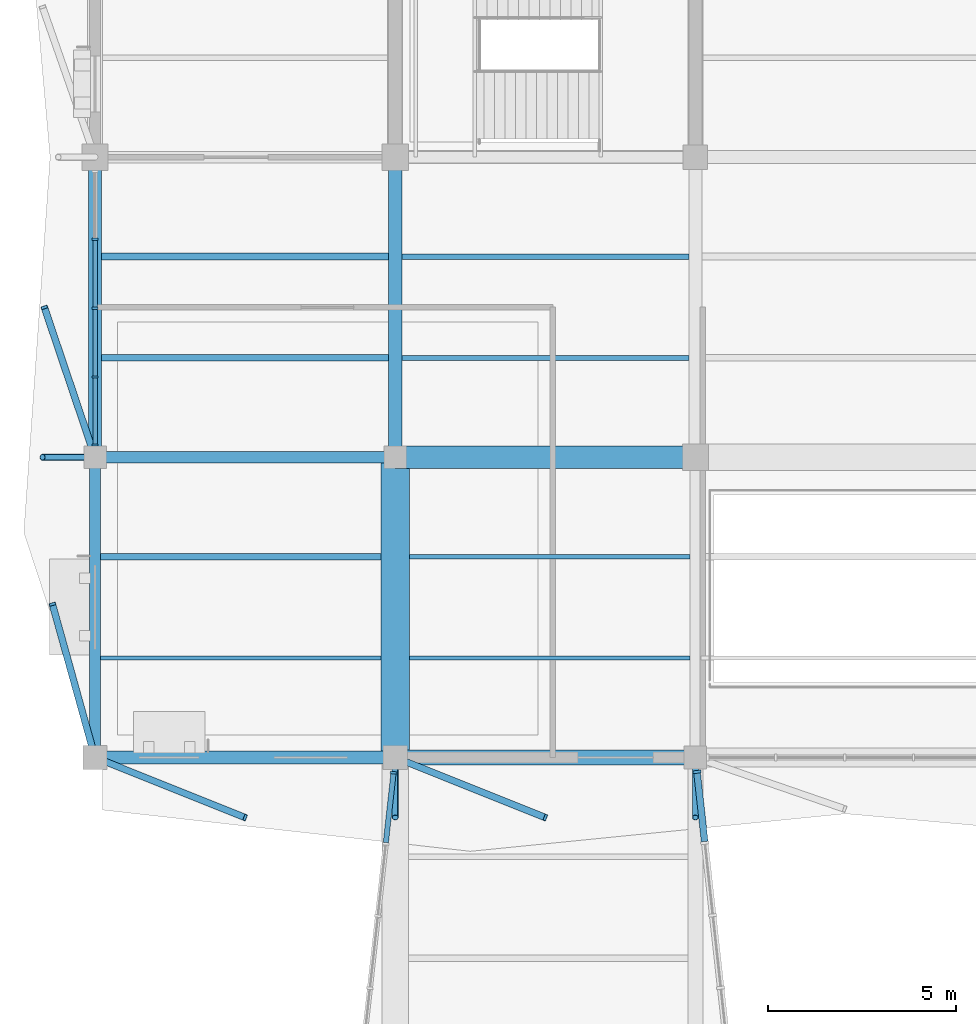
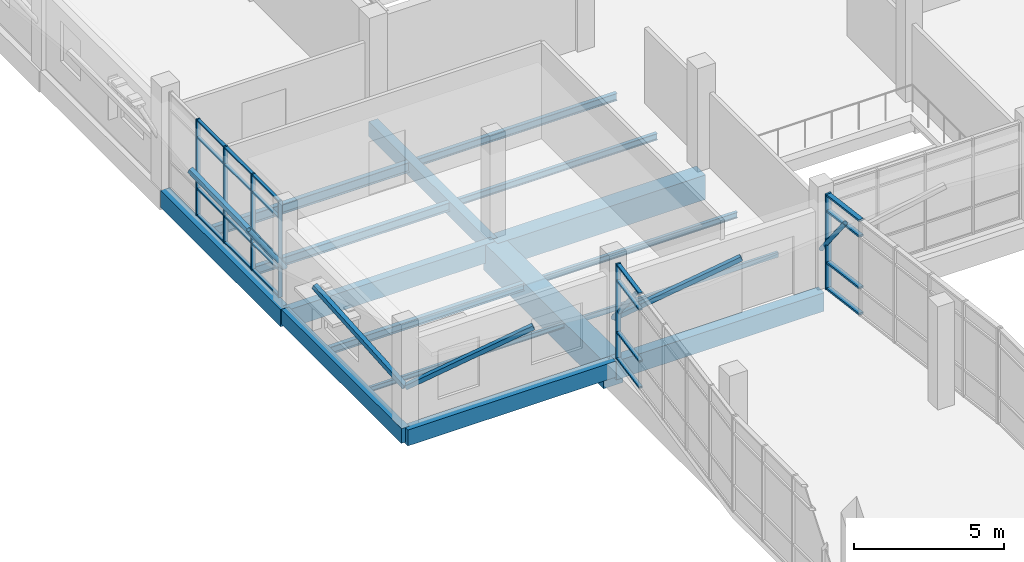
# One storey, part 25 of 84: 33 members, 16 beams, 3 elements without a shape of their own.
"""IFC4 building model written with IfcOpenShell, lengths in metres."""

from ifc_helpers import new_model, si_unit, direction, frame, origin, origin_2d, place, context, subcontext, project, spatial, rectangle, hollow_rectangle, hollow_circle, i_section, extrude, material, material_profile, profile_set, type_object, element, aggregate, save


model = new_model("IFC4")

# Units and contexts
model_context = context("Model", 3, precision=1e-05, world=origin(), true_north=direction((0.0, 1.0)))
body_context = subcontext(model_context, "Body", "Model", "MODEL_VIEW")
ifc_project = project(units=[si_unit("LENGTHUNIT", "METRE"), si_unit("AREAUNIT", "SQUARE_METRE"), si_unit("VOLUMEUNIT", "CUBIC_METRE"), si_unit("PLANEANGLEUNIT", "RADIAN"), si_unit("MASSUNIT", "GRAM", prefix="KILO")], contexts=[model_context])

# Site, building, storey
site_placement = place(None, origin())
site = spatial("IfcSite", under=ifc_project, at=site_placement, CompositionType="ELEMENT")
building_placement = place(site_placement, origin())
building = spatial("IfcBuilding", under=site, at=building_placement, Name="Tenunan Teduh Sports Hall", CompositionType="ELEMENT")
storey_placement = place(building_placement, frame((0.0, 0.0, 10.800048828125)))
storey = spatial("IfcBuildingStorey", under=building, at=storey_placement, Name="L02", CompositionType="ELEMENT", Elevation=10.800048828125)

# Beams
ifc_material_1 = material(Name="Concrete C40/50", Category="concrete")
ifc_material_profile_1 = material_profile(ifc_material_1, rectangle(XDim=0.300048828125, YDim=0.60009765625, at=origin_2d()), Name="RCB 300x600")
ifc_profile_set_1 = profile_set([ifc_material_profile_1], Name="Concrete C40/50")
beam_type_1 = type_object("IfcBeamType", Name="BM-RC-300x600", PredefinedType="BEAM", material=ifc_profile_set_1)
beam_1_placement = place(storey_placement, frame((6.0, 78.0, -0.56005859375), z_axis=(0.0, 1.0, 0.0), x_axis=(-1.0, 0.0, 0.0)))
element("IfcBeam", 1, at=beam_1_placement, inside=storey, type_object=beam_type_1, Name="BM-B-03-L02-1571", PredefinedType="BEAM", context=body_context, shape_type="SweptSolid", body=[
    extrude(rectangle(XDim=0.300048828125, YDim=0.60009765625, at=origin_2d()), origin(), (0.0, 0.0, 1.0), 8.0),
])
ifc_material_2 = material(Name="Concrete C40/50", Category="concrete")
ifc_material_profile_2 = material_profile(ifc_material_2, rectangle(XDim=0.35009765625, YDim=0.60009765625, at=origin_2d()), Name="RCB 350x600")
ifc_profile_set_2 = profile_set([ifc_material_profile_2], Name="Concrete C40/50")
beam_type_2 = type_object("IfcBeamType", Name="BM-RC-350x600", PredefinedType="BEAM", material=ifc_profile_set_2)
beam_2_placement = place(storey_placement, frame((14.0, 86.0, -0.56005859375), z_axis=(0.0, 1.0, 0.0), x_axis=(-1.0, 0.0, 0.0)))
element("IfcBeam", 2, at=beam_2_placement, inside=storey, type_object=beam_type_2, Name="BM-B-04-L02-1580", PredefinedType="BEAM", context=body_context, shape_type="SweptSolid", body=[
    extrude(rectangle(XDim=0.35009765625, YDim=0.60009765625, at=origin_2d()), origin(), (0.0, 0.0, 1.0), 8.0),
])
ifc_material_3 = material(Name="Concrete C40/50", Category="concrete")
ifc_material_profile_3 = material_profile(ifc_material_3, rectangle(XDim=0.35009765625, YDim=0.64990234375, at=origin_2d()), Name="RCB 350x650")
ifc_profile_set_3 = profile_set([ifc_material_profile_3], Name="Concrete C40/50")
beam_type_3 = type_object("IfcBeamType", Name="BM-RC-350x650", PredefinedType="BEAM", material=ifc_profile_set_3)
beam_3_placement = place(storey_placement, frame((6.0, 78.0, -0.5849609375), z_axis=(1.0, 0.0, 0.0), x_axis=(0.0, 1.0, 0.0)))
element("IfcBeam", 3, at=beam_3_placement, inside=storey, type_object=beam_type_3, Name="BM-B-05-L02-1482", PredefinedType="BEAM", context=body_context, shape_type="SweptSolid", body=[
    extrude(rectangle(XDim=0.35009765625, YDim=0.64990234375, at=origin_2d()), origin(), (0.0, 0.0, 1.0), 8.0),
])
ifc_material_4 = material(Name="Concrete C40/50", Category="concrete")
ifc_material_profile_4 = material_profile(ifc_material_4, rectangle(XDim=0.35009765625, YDim=0.699951171875, at=origin_2d()), Name="RCB 350x700")
ifc_profile_set_4 = profile_set([ifc_material_profile_4], Name="Concrete C40/50")
beam_type_4 = type_object("IfcBeamType", Name="BM-RC-350x700", PredefinedType="BEAM", material=ifc_profile_set_4)
beam_4_placement = place(storey_placement, frame((6.0, 86.0, -0.610107421875), z_axis=(0.0, 1.0, 0.0), x_axis=(-1.0, 0.0, 0.0)))
element("IfcBeam", 4, at=beam_4_placement, inside=storey, type_object=beam_type_4, Name="BM-B-06-L02-1572", PredefinedType="BEAM", context=body_context, shape_type="SweptSolid", body=[
    extrude(rectangle(XDim=0.35009765625, YDim=0.699951171875, at=origin_2d()), origin(), (0.0, 0.0, 1.0), 8.0),
])
ifc_material_5 = material(Name="Concrete C40/50", Category="concrete")
ifc_material_profile_5 = material_profile(ifc_material_5, rectangle(XDim=0.39990234375, YDim=0.75, at=origin_2d()), Name="RCB 400x750")
ifc_profile_set_5 = profile_set([ifc_material_profile_5], Name="Concrete C40/50")
beam_type_5 = type_object("IfcBeamType", Name="BM-RC-400x750", PredefinedType="BEAM", material=ifc_profile_set_5)
beam_5_placement = place(storey_placement, frame((14.0, 78.0, -0.635009765625), z_axis=(1.0, 0.0, 0.0), x_axis=(0.0, 1.0, 0.0)))
element("IfcBeam", 5, at=beam_5_placement, inside=storey, type_object=beam_type_5, Name="BM-B-09-L02-1483", PredefinedType="BEAM", context=body_context, shape_type="SweptSolid", body=[
    extrude(rectangle(XDim=0.39990234375, YDim=0.75, at=origin_2d()), origin(), (0.0, 0.0, 1.0), 8.0),
])
ifc_material_6 = material(Name="Concrete C40/50", Category="concrete")
ifc_material_profile_6 = material_profile(ifc_material_6, rectangle(XDim=0.60009765625, YDim=1.0, at=origin_2d()), Name="RCB 600x1000")
ifc_profile_set_6 = profile_set([ifc_material_profile_6], Name="Concrete C40/50")
beam_type_6 = type_object("IfcBeamType", Name="BM-RC-600x1000", PredefinedType="BEAM", material=ifc_profile_set_6)
beam_6_placement = place(storey_placement, frame((14.0, 86.0, -0.760009765625), z_axis=(1.0, 0.0, 0.0), x_axis=(0.0, 1.0, 0.0)))
element("IfcBeam", 6, at=beam_6_placement, inside=storey, type_object=beam_type_6, Name="BM-B-18-L02-1492", PredefinedType="BEAM", context=body_context, shape_type="SweptSolid", body=[
    extrude(rectangle(XDim=0.60009765625, YDim=1.0, at=origin_2d()), origin(), (0.0, 0.0, 1.0), 8.0),
])
ifc_material_7 = material(Name="Concrete C40/50", Category="concrete")
ifc_material_profile_7 = material_profile(ifc_material_7, rectangle(XDim=0.75, YDim=1.10009765625, at=origin_2d()), Name="RCB 750x1100")
ifc_profile_set_7 = profile_set([ifc_material_profile_7], Name="Concrete C40/50")
beam_type_7 = type_object("IfcBeamType", Name="BM-RC-750x1100", PredefinedType="SPANDREL", material=ifc_profile_set_7)
beam_7_placement = place(storey_placement, frame((14.0, 78.0, -0.81005859375), z_axis=(0.0, 1.0, 0.0), x_axis=(-1.0, 0.0, 0.0)))
element("IfcBeam", 7, at=beam_7_placement, inside=storey, type_object=beam_type_7, Name="BM-B-20-L02-1579", PredefinedType="SPANDREL", context=body_context, shape_type="SweptSolid", body=[
    extrude(rectangle(XDim=0.75, YDim=1.10009765625, at=origin_2d()), origin(), (0.0, 0.0, 1.0), 8.0),
])
ifc_material_8 = material(Name="Concrete C40/50", Category="concrete")
ifc_material_profile_8 = material_profile(ifc_material_8, rectangle(XDim=0.300048828125, YDim=0.75, at=origin_2d()), Name="SPB 300x750")
ifc_profile_set_8 = profile_set([ifc_material_profile_8], Name="Concrete C40/50")
beam_type_8 = type_object("IfcBeamType", Name="BM-SP-300x750", PredefinedType="SPANDREL", material=ifc_profile_set_8)
beam_8_placement = place(storey_placement, frame((6.0, 86.0, -0.635009765625), z_axis=(1.0, 0.0, 0.0), x_axis=(0.0, 1.0, 0.0)))
element("IfcBeam", 8, at=beam_8_placement, inside=storey, type_object=beam_type_8, Name="BM-SP-01-L02-1491", PredefinedType="SPANDREL", context=body_context, shape_type="SweptSolid", body=[
    extrude(rectangle(XDim=0.300048828125, YDim=0.75, at=origin_2d()), origin(), (0.0, 0.0, 1.0), 8.0),
])

# Curtain wall, members
ifc_material_9 = material(Name="Anodised aluminium", Category="aluminium")
curtain_wall_type_1 = type_object("IfcCurtainWallType", Name="CW-UNIT-2", PredefinedType="NOTDEFINED", material=ifc_material_9)
curtain_wall_1_placement = place(storey_placement, origin())
curtain_wall_1 = element("IfcCurtainWall", 9, at=curtain_wall_1_placement, inside=storey, type_object=curtain_wall_type_1, Name="CW-CWM-150-L02-219", PredefinedType="NOTDEFINED")
ifc_material_10 = material(Name="Anodised aluminium", Category="aluminium")
ifc_material_profile_9 = material_profile(ifc_material_10, rectangle(XDim=0.06005859375, YDim=0.14990234375, at=origin_2d()), Name="CWM 60x150")
ifc_profile_set_9 = profile_set([ifc_material_profile_9], Name="Anodised aluminium")
member_type_1 = type_object("IfcMemberType", Name="CWM-150", PredefinedType="MULLION", material=ifc_profile_set_9)
member_1_placement = place(storey_placement, frame((6.0, 86.330078125, 0.0), z_axis=(0.0, 0.0, 1.0), x_axis=(0.0, 1.0, 0.0)))
member_1 = element("IfcMember", 10, at=member_1_placement, type_object=member_type_1, Name="CW-02 mullion 1", PredefinedType="MULLION", context=body_context, shape_type="SweptSolid", body=[
    extrude(rectangle(XDim=0.06005859375, YDim=0.14990234375, at=origin_2d()), origin(), (0.0, 0.0, 1.0), 3.919921875),
])
member_2_placement = place(storey_placement, frame((6.0, 88.137451171875, 0.0), z_axis=(0.0, 0.0, 1.0), x_axis=(0.0, 1.0, 0.0)))
member_2 = element("IfcMember", 11, at=member_2_placement, type_object=member_type_1, Name="CW-02 mullion 2", PredefinedType="MULLION", context=body_context, shape_type="SweptSolid", body=[
    extrude(rectangle(XDim=0.06005859375, YDim=0.14990234375, at=origin_2d()), origin(), (0.0, 0.0, 1.0), 3.919921875),
])
member_3_placement = place(storey_placement, frame((6.0, 89.97509765625, 0.0), z_axis=(0.0, 0.0, 1.0), x_axis=(0.0, 1.0, 0.0)))
member_3 = element("IfcMember", 12, at=member_3_placement, type_object=member_type_1, Name="CW-02 mullion 3", PredefinedType="MULLION", context=body_context, shape_type="SweptSolid", body=[
    extrude(rectangle(XDim=0.06005859375, YDim=0.14990234375, at=origin_2d()), origin(), (0.0, 0.0, 1.0), 3.919921875),
])
member_4_placement = place(storey_placement, frame((6.0, 91.8125, 0.0), z_axis=(0.0, 0.0, 1.0), x_axis=(0.0, 1.0, 0.0)))
member_4 = element("IfcMember", 13, at=member_4_placement, type_object=member_type_1, Name="CW-02 mullion 4", PredefinedType="MULLION", context=body_context, shape_type="SweptSolid", body=[
    extrude(rectangle(XDim=0.06005859375, YDim=0.14990234375, at=origin_2d()), origin(), (0.0, 0.0, 1.0), 3.919921875),
])

# Curtain wall, member
ifc_material_11 = material(Name="Anodised aluminium", Category="aluminium")
curtain_wall_type_2 = type_object("IfcCurtainWallType", Name="CW-BRIDGE-1", PredefinedType="NOTDEFINED", material=ifc_material_11)
curtain_wall_2_placement = place(storey_placement, origin())
curtain_wall_2 = element("IfcCurtainWall", 14, at=curtain_wall_2_placement, inside=storey, type_object=curtain_wall_type_2, Name="CW-CWM-175-L02-186", PredefinedType="NOTDEFINED")
ifc_material_12 = material(Name="Anodised aluminium", Category="aluminium")
ifc_material_profile_10 = material_profile(ifc_material_12, rectangle(XDim=0.06494140625, YDim=0.175048828125, at=origin_2d()), Name="CWM 65x175")
ifc_profile_set_10 = profile_set([ifc_material_profile_10], Name="Anodised aluminium")
member_type_2 = type_object("IfcMemberType", Name="CWM-175", PredefinedType="MULLION", material=ifc_profile_set_10)
member_5_placement = place(storey_placement, frame((13.955322265625, 77.593505859375, 0.0), z_axis=(0.0, 0.0, 1.0), x_axis=(0.109337035626, 0.994004734717, 0.0)))
member_5 = element("IfcMember", 15, at=member_5_placement, type_object=member_type_2, Name="CW-05 mullion 6", PredefinedType="MULLION", context=body_context, shape_type="SweptSolid", body=[
    extrude(rectangle(XDim=0.06494140625, YDim=0.175048828125, at=origin_2d()), origin(), (0.0, 0.0, 1.0), 3.8798828125),
])

curtain_wall_3_placement = place(storey_placement, origin())
curtain_wall_3 = element("IfcCurtainWall", 16, at=curtain_wall_3_placement, inside=storey, type_object=curtain_wall_type_2, Name="CW-CWM-220-L02-189", PredefinedType="NOTDEFINED")
ifc_material_13 = material(Name="Anodised aluminium", Category="aluminium")
ifc_material_profile_11 = material_profile(ifc_material_13, rectangle(XDim=0.074951171875, YDim=0.219970703125, at=origin_2d()), Name="CWM 75x220")
ifc_profile_set_11 = profile_set([ifc_material_profile_11], Name="Anodised aluminium")
member_type_3 = type_object("IfcMemberType", Name="CWM-220", PredefinedType="MULLION", material=ifc_profile_set_11)
member_6_placement = place(storey_placement, frame((22.0419921875, 77.6171875, 0.0), z_axis=(0.0, 0.0, 1.0), x_axis=(-0.109340505356, 0.994004353053, 0.0)))
member_6 = element("IfcMember", 17, at=member_6_placement, type_object=member_type_3, Name="CW-05 mullion 6", PredefinedType="MULLION", context=body_context, shape_type="SweptSolid", body=[
    extrude(rectangle(XDim=0.074951171875, YDim=0.219970703125, at=origin_2d()), origin(), (0.0, 0.0, 1.0), 3.8798828125),
])

# Member
ifc_material_14 = material(Name="Anodised aluminium", Category="aluminium")
ifc_material_profile_12 = material_profile(ifc_material_14, rectangle(XDim=0.06005859375, YDim=0.1201171875, at=origin_2d()), Name="CWT 60x120")
ifc_profile_set_12 = profile_set([ifc_material_profile_12], Name="Anodised aluminium")
member_type_4 = type_object("IfcMemberType", Name="CWT-125", PredefinedType="USERDEFINED", material=ifc_profile_set_12)
member_7_placement = place(storey_placement, frame((6.0, 86.360107421875, 0.030029296875), z_axis=(0.0, 1.0, 0.0), x_axis=(0.0, 0.0, 1.0)))
member_7 = element("IfcMember", 18, at=member_7_placement, type_object=member_type_4, Name="CW-02 transom 1.1", ObjectType="TRANSOM", PredefinedType="USERDEFINED", context=body_context, shape_type="SweptSolid", body=[
    extrude(rectangle(XDim=0.06005859375, YDim=0.1201171875, at=origin_2d()), origin(), (0.0, 0.0, 1.0), 1.747314453125),
])

member_8_placement = place(storey_placement, frame((6.0, 86.360107421875, 1.099853515625), z_axis=(0.0, 1.0, 0.0), x_axis=(0.0, 0.0, 1.0)))
member_8 = element("IfcMember", 19, at=member_8_placement, type_object=member_type_4, Name="CW-02 transom 1.2", ObjectType="TRANSOM", PredefinedType="USERDEFINED", context=body_context, shape_type="SweptSolid", body=[
    extrude(rectangle(XDim=0.06005859375, YDim=0.1201171875, at=origin_2d()), origin(), (0.0, 0.0, 1.0), 1.747314453125),
])

member_9_placement = place(storey_placement, frame((6.0, 86.360107421875, 3.199951171875), z_axis=(0.0, 1.0, 0.0), x_axis=(0.0, 0.0, 1.0)))
member_9 = element("IfcMember", 20, at=member_9_placement, type_object=member_type_4, Name="CW-02 transom 1.3", ObjectType="TRANSOM", PredefinedType="USERDEFINED", context=body_context, shape_type="SweptSolid", body=[
    extrude(rectangle(XDim=0.06005859375, YDim=0.1201171875, at=origin_2d()), origin(), (0.0, 0.0, 1.0), 1.747314453125),
])

member_10_placement = place(storey_placement, frame((6.0, 86.360107421875, 3.889892578125), z_axis=(0.0, 1.0, 0.0), x_axis=(0.0, 0.0, 1.0)))
member_10 = element("IfcMember", 21, at=member_10_placement, type_object=member_type_4, Name="CW-02 transom 1.4", ObjectType="TRANSOM", PredefinedType="USERDEFINED", context=body_context, shape_type="SweptSolid", body=[
    extrude(rectangle(XDim=0.06005859375, YDim=0.1201171875, at=origin_2d()), origin(), (0.0, 0.0, 1.0), 1.747314453125),
])

member_11_placement = place(storey_placement, frame((6.0, 88.16748046875, 0.030029296875), z_axis=(0.0, 1.0, 0.0), x_axis=(0.0, 0.0, 1.0)))
member_11 = element("IfcMember", 22, at=member_11_placement, type_object=member_type_4, Name="CW-02 transom 2.1", ObjectType="TRANSOM", PredefinedType="USERDEFINED", context=body_context, shape_type="SweptSolid", body=[
    extrude(rectangle(XDim=0.06005859375, YDim=0.1201171875, at=origin_2d()), origin(), (0.0, 0.0, 1.0), 1.777587890625),
])

member_12_placement = place(storey_placement, frame((6.0, 88.16748046875, 1.099853515625), z_axis=(0.0, 1.0, 0.0), x_axis=(0.0, 0.0, 1.0)))
member_12 = element("IfcMember", 23, at=member_12_placement, type_object=member_type_4, Name="CW-02 transom 2.2", ObjectType="TRANSOM", PredefinedType="USERDEFINED", context=body_context, shape_type="SweptSolid", body=[
    extrude(rectangle(XDim=0.06005859375, YDim=0.1201171875, at=origin_2d()), origin(), (0.0, 0.0, 1.0), 1.777587890625),
])

member_13_placement = place(storey_placement, frame((6.0, 88.16748046875, 3.199951171875), z_axis=(0.0, 1.0, 0.0), x_axis=(0.0, 0.0, 1.0)))
member_13 = element("IfcMember", 24, at=member_13_placement, type_object=member_type_4, Name="CW-02 transom 2.3", ObjectType="TRANSOM", PredefinedType="USERDEFINED", context=body_context, shape_type="SweptSolid", body=[
    extrude(rectangle(XDim=0.06005859375, YDim=0.1201171875, at=origin_2d()), origin(), (0.0, 0.0, 1.0), 1.777587890625),
])

member_14_placement = place(storey_placement, frame((6.0, 88.16748046875, 3.889892578125), z_axis=(0.0, 1.0, 0.0), x_axis=(0.0, 0.0, 1.0)))
member_14 = element("IfcMember", 25, at=member_14_placement, type_object=member_type_4, Name="CW-02 transom 2.4", ObjectType="TRANSOM", PredefinedType="USERDEFINED", context=body_context, shape_type="SweptSolid", body=[
    extrude(rectangle(XDim=0.06005859375, YDim=0.1201171875, at=origin_2d()), origin(), (0.0, 0.0, 1.0), 1.777587890625),
])

member_15_placement = place(storey_placement, frame((6.0, 90.0048828125, 0.030029296875), z_axis=(0.0, 1.0, 0.0), x_axis=(0.0, 0.0, 1.0)))
member_15 = element("IfcMember", 26, at=member_15_placement, type_object=member_type_4, Name="CW-02 transom 3.1", ObjectType="TRANSOM", PredefinedType="USERDEFINED", context=body_context, shape_type="SweptSolid", body=[
    extrude(rectangle(XDim=0.06005859375, YDim=0.1201171875, at=origin_2d()), origin(), (0.0, 0.0, 1.0), 1.777587890625),
])

member_16_placement = place(storey_placement, frame((6.0, 90.0048828125, 1.099853515625), z_axis=(0.0, 1.0, 0.0), x_axis=(0.0, 0.0, 1.0)))
member_16 = element("IfcMember", 27, at=member_16_placement, type_object=member_type_4, Name="CW-02 transom 3.2", ObjectType="TRANSOM", PredefinedType="USERDEFINED", context=body_context, shape_type="SweptSolid", body=[
    extrude(rectangle(XDim=0.06005859375, YDim=0.1201171875, at=origin_2d()), origin(), (0.0, 0.0, 1.0), 1.777587890625),
])

member_17_placement = place(storey_placement, frame((6.0, 90.0048828125, 3.199951171875), z_axis=(0.0, 1.0, 0.0), x_axis=(0.0, 0.0, 1.0)))
member_17 = element("IfcMember", 28, at=member_17_placement, type_object=member_type_4, Name="CW-02 transom 3.3", ObjectType="TRANSOM", PredefinedType="USERDEFINED", context=body_context, shape_type="SweptSolid", body=[
    extrude(rectangle(XDim=0.06005859375, YDim=0.1201171875, at=origin_2d()), origin(), (0.0, 0.0, 1.0), 1.777587890625),
])

member_18_placement = place(storey_placement, frame((6.0, 90.0048828125, 3.889892578125), z_axis=(0.0, 1.0, 0.0), x_axis=(0.0, 0.0, 1.0)))
member_18 = element("IfcMember", 29, at=member_18_placement, type_object=member_type_4, Name="CW-02 transom 3.4", ObjectType="TRANSOM", PredefinedType="USERDEFINED", context=body_context, shape_type="SweptSolid", body=[
    extrude(rectangle(XDim=0.06005859375, YDim=0.1201171875, at=origin_2d()), origin(), (0.0, 0.0, 1.0), 1.777587890625),
])

aggregate(curtain_wall_1, [member_1, member_2, member_3, member_4, member_7, member_8, member_9, member_10, member_11, member_12, member_13, member_14, member_15, member_16, member_17, member_18])

ifc_material_15 = material(Name="Anodised aluminium", Category="aluminium")
ifc_material_profile_13 = material_profile(ifc_material_15, rectangle(XDim=0.06494140625, YDim=0.139892578125, at=origin_2d()), Name="CWT 65x140")
ifc_profile_set_13 = profile_set([ifc_material_profile_13], Name="Anodised aluminium")
member_type_5 = type_object("IfcMemberType", Name="CWT-150", PredefinedType="USERDEFINED", material=ifc_profile_set_13)
member_19_placement = place(storey_placement, frame((13.75048828125, 75.73291015625, 0.032470703125), z_axis=(0.10938244983, 0.993999738264, 0.0), x_axis=(0.0, 0.0, 1.0)))
member_19 = element("IfcMember", 30, at=member_19_placement, type_object=member_type_5, Name="CW-05 transom 5.1", ObjectType="TRANSOM", PredefinedType="USERDEFINED", context=body_context, shape_type="SweptSolid", body=[
    extrude(rectangle(XDim=0.06494140625, YDim=0.139892578125, at=origin_2d()), origin(), (0.0, 0.0, 1.0), 1.839111328125),
])

member_20_placement = place(storey_placement, frame((13.75048828125, 75.73291015625, 1.099853515625), z_axis=(0.10938244983, 0.993999738264, 0.0), x_axis=(0.0, 0.0, 1.0)))
member_20 = element("IfcMember", 31, at=member_20_placement, type_object=member_type_5, Name="CW-05 transom 5.2", ObjectType="TRANSOM", PredefinedType="USERDEFINED", context=body_context, shape_type="SweptSolid", body=[
    extrude(rectangle(XDim=0.06494140625, YDim=0.139892578125, at=origin_2d()), origin(), (0.0, 0.0, 1.0), 1.839111328125),
])

member_21_placement = place(storey_placement, frame((13.75048828125, 75.73291015625, 3.199951171875), z_axis=(0.10938244983, 0.993999738264, 0.0), x_axis=(0.0, 0.0, 1.0)))
member_21 = element("IfcMember", 32, at=member_21_placement, type_object=member_type_5, Name="CW-05 transom 5.3", ObjectType="TRANSOM", PredefinedType="USERDEFINED", context=body_context, shape_type="SweptSolid", body=[
    extrude(rectangle(XDim=0.06494140625, YDim=0.139892578125, at=origin_2d()), origin(), (0.0, 0.0, 1.0), 1.839111328125),
])

member_22_placement = place(storey_placement, frame((13.75048828125, 75.73291015625, 3.847412109375), z_axis=(0.10938244983, 0.993999738264, 0.0), x_axis=(0.0, 0.0, 1.0)))
member_22 = element("IfcMember", 33, at=member_22_placement, type_object=member_type_5, Name="CW-05 transom 5.4", ObjectType="TRANSOM", PredefinedType="USERDEFINED", context=body_context, shape_type="SweptSolid", body=[
    extrude(rectangle(XDim=0.06494140625, YDim=0.139892578125, at=origin_2d()), origin(), (0.0, 0.0, 1.0), 1.839111328125),
])

aggregate(curtain_wall_2, [member_5, member_19, member_20, member_21, member_22])

ifc_material_16 = material(Name="Anodised aluminium", Category="aluminium")
ifc_material_profile_14 = material_profile(ifc_material_16, rectangle(XDim=0.074951171875, YDim=0.179931640625, at=origin_2d()), Name="CWT 75x180")
ifc_profile_set_14 = profile_set([ifc_material_profile_14], Name="Anodised aluminium")
member_type_6 = type_object("IfcMemberType", Name="CWT-180", PredefinedType="USERDEFINED", material=ifc_profile_set_14)
member_23_placement = place(storey_placement, frame((22.246337890625, 75.760986328125, 0.037353515625), z_axis=(-0.109406392572, 0.993997103247, 0.0), x_axis=(0.0, 0.0, 1.0)))
member_23 = element("IfcMember", 34, at=member_23_placement, type_object=member_type_6, Name="CW-05 transom 5.1", ObjectType="TRANSOM", PredefinedType="USERDEFINED", context=body_context, shape_type="SweptSolid", body=[
    extrude(rectangle(XDim=0.074951171875, YDim=0.179931640625, at=origin_2d()), origin(), (0.0, 0.0, 1.0), 1.829833984375),
])

member_24_placement = place(storey_placement, frame((22.246337890625, 75.760986328125, 1.099853515625), z_axis=(-0.109406392572, 0.993997103247, 0.0), x_axis=(0.0, 0.0, 1.0)))
member_24 = element("IfcMember", 35, at=member_24_placement, type_object=member_type_6, Name="CW-05 transom 5.2", ObjectType="TRANSOM", PredefinedType="USERDEFINED", context=body_context, shape_type="SweptSolid", body=[
    extrude(rectangle(XDim=0.074951171875, YDim=0.179931640625, at=origin_2d()), origin(), (0.0, 0.0, 1.0), 1.829833984375),
])

member_25_placement = place(storey_placement, frame((22.246337890625, 75.760986328125, 3.199951171875), z_axis=(-0.109406392572, 0.993997103247, 0.0), x_axis=(0.0, 0.0, 1.0)))
member_25 = element("IfcMember", 36, at=member_25_placement, type_object=member_type_6, Name="CW-05 transom 5.3", ObjectType="TRANSOM", PredefinedType="USERDEFINED", context=body_context, shape_type="SweptSolid", body=[
    extrude(rectangle(XDim=0.074951171875, YDim=0.179931640625, at=origin_2d()), origin(), (0.0, 0.0, 1.0), 1.829833984375),
])

member_26_placement = place(storey_placement, frame((22.246337890625, 75.760986328125, 3.842529296875), z_axis=(-0.109406392572, 0.993997103247, 0.0), x_axis=(0.0, 0.0, 1.0)))
member_26 = element("IfcMember", 37, at=member_26_placement, type_object=member_type_6, Name="CW-05 transom 5.4", ObjectType="TRANSOM", PredefinedType="USERDEFINED", context=body_context, shape_type="SweptSolid", body=[
    extrude(rectangle(XDim=0.074951171875, YDim=0.179931640625, at=origin_2d()), origin(), (0.0, 0.0, 1.0), 1.829833984375),
])

aggregate(curtain_wall_3, [member_6, member_23, member_24, member_25, member_26])

# Beams
ifc_material_17 = material(Name="Steel S355", Category="steel")
ifc_material_profile_15 = material_profile(ifc_material_17, i_section(OverallWidth=0.10009765625, OverallDepth=0.199951171875, WebThickness=0.005615234375, FlangeThickness=0.008544921875, FilletRadius=0.011962890625, at=origin_2d()), Name="IPE 200")
ifc_profile_set_15 = profile_set([ifc_material_profile_15], Name="Steel S355")
beam_type_9 = type_object("IfcBeamType", Name="JST-IPE200", PredefinedType="JOIST", material=ifc_profile_set_15)
beam_9_placement = place(storey_placement, frame((6.14990234375, 80.64990234375, -0.360107421875), z_axis=(1.0, 0.0, 0.0), x_axis=(0.0, 1.0, 0.0)))
element("IfcBeam", 38, at=beam_9_placement, inside=storey, type_object=beam_type_9, Name="BM-J-01-L02-1676", PredefinedType="JOIST", context=body_context, shape_type="SweptSolid", body=[
    extrude(i_section(OverallWidth=0.10009765625, OverallDepth=0.199951171875, WebThickness=0.005615234375, FlangeThickness=0.008544921875, FilletRadius=0.011962890625, at=origin_2d()), origin(), (0.0, 0.0, 1.0), 7.47509765625),
])
ifc_material_18 = material(Name="Steel S355", Category="steel")
ifc_material_profile_16 = material_profile(ifc_material_18, i_section(OverallWidth=0.1201171875, OverallDepth=0.239990234375, WebThickness=0.006103515625, FlangeThickness=0.009765625, FilletRadius=0.014892578125, at=origin_2d()), Name="IPE 240")
ifc_profile_set_16 = profile_set([ifc_material_profile_16], Name="Steel S355")
beam_type_10 = type_object("IfcBeamType", Name="JST-IPE240", PredefinedType="JOIST", material=ifc_profile_set_16)
beam_10_placement = place(storey_placement, frame((14.375, 83.35009765625, -0.380126953125), z_axis=(1.0, 0.0, 0.0), x_axis=(0.0, 1.0, 0.0)))
element("IfcBeam", 39, at=beam_10_placement, inside=storey, type_object=beam_type_10, Name="BM-J-02-L02-1693", PredefinedType="JOIST", context=body_context, shape_type="SweptSolid", body=[
    extrude(i_section(OverallWidth=0.1201171875, OverallDepth=0.239990234375, WebThickness=0.006103515625, FlangeThickness=0.009765625, FilletRadius=0.014892578125, at=origin_2d()), origin(), (0.0, 0.0, 1.0), 7.47509765625),
])
ifc_material_19 = material(Name="Steel S355", Category="steel")
ifc_material_profile_17 = material_profile(ifc_material_19, i_section(OverallWidth=0.135009765625, OverallDepth=0.27001953125, WebThickness=0.006591796875, FlangeThickness=0.01025390625, FilletRadius=0.014892578125, at=origin_2d()), Name="IPE 270")
ifc_profile_set_17 = profile_set([ifc_material_profile_17], Name="Steel S355")
beam_type_11 = type_object("IfcBeamType", Name="JST-IPE270", PredefinedType="JOIST", material=ifc_profile_set_17)
beam_11_placement = place(storey_placement, frame((14.175048828125, 88.64990234375, -0.39501953125), z_axis=(1.0, 0.0, 0.0), x_axis=(0.0, 1.0, 0.0)))
element("IfcBeam", 40, at=beam_11_placement, inside=storey, type_object=beam_type_11, Name="BM-J-03-L02-1694", PredefinedType="JOIST", context=body_context, shape_type="SweptSolid", body=[
    extrude(i_section(OverallWidth=0.135009765625, OverallDepth=0.27001953125, WebThickness=0.006591796875, FlangeThickness=0.01025390625, FilletRadius=0.014892578125, at=origin_2d()), origin(), (0.0, 0.0, 1.0), 7.64990234375),
])
ifc_material_20 = material(Name="Steel S355", Category="steel")
ifc_material_profile_18 = material_profile(ifc_material_20, i_section(OverallWidth=0.14990234375, OverallDepth=0.300048828125, WebThickness=0.007080078125, FlangeThickness=0.0107421875, FilletRadius=0.014892578125, at=origin_2d()), Name="IPE 300")
ifc_profile_set_18 = profile_set([ifc_material_profile_18], Name="Steel S355")
beam_type_12 = type_object("IfcBeamType", Name="JST-IPE300", PredefinedType="JOIST", material=ifc_profile_set_18)
beam_12_placement = place(storey_placement, frame((14.175048828125, 91.35009765625, -0.41015625), z_axis=(1.0, 0.0, 0.0), x_axis=(0.0, 1.0, 0.0)))
element("IfcBeam", 41, at=beam_12_placement, inside=storey, type_object=beam_type_12, Name="BM-J-04-L02-1695", PredefinedType="JOIST", context=body_context, shape_type="SweptSolid", body=[
    extrude(i_section(OverallWidth=0.14990234375, OverallDepth=0.300048828125, WebThickness=0.007080078125, FlangeThickness=0.0107421875, FilletRadius=0.014892578125, at=origin_2d()), origin(), (0.0, 0.0, 1.0), 7.64990234375),
])

# Members
ifc_material_21 = material(Name="Steel S355", Category="steel")
ifc_material_profile_19 = material_profile(ifc_material_21, hollow_circle(Radius=0.084228515625, WallThickness=0.008056640625, at=origin_2d()), Name="CHS 168.3x8.0")
ifc_profile_set_19 = profile_set([ifc_material_profile_19], Name="Steel S355")
member_type_7 = type_object("IfcMemberType", Name="MEM-BR-CHS168", PredefinedType="BRACE", material=ifc_profile_set_19)
for number, where, z_axis, x_axis, name in (
    (42, (14.0, 78.0, 1.39990234375), (0.0, -0.620921316091, 0.783872897366), (1.0, 0.0, 0.0), "MEM-GD-04-L02-1253"),
    (43, (22.0, 78.0, 1.39990234375), (0.0, -0.620921316091, 0.783872897366), (1.0, 0.0, 0.0), "MEM-GD-04-L02-1255"),
):
    element("IfcMember", number, at=place(storey_placement, frame(where, z_axis=z_axis, x_axis=x_axis)), inside=storey, type_object=member_type_7, Name=name, PredefinedType="BRACE", context=body_context, shape_type="SweptSolid", body=[
        extrude(hollow_circle(Radius=0.084228515625, WallThickness=0.008056640625, at=origin_2d()), origin(), (0.0, 0.0, 1.0), 2.576904296875),
    ])
member_27_placement = place(storey_placement, frame((6.0, 86.0, 1.39990234375), z_axis=(-0.56960249662, 0.0, 0.821920309911), x_axis=(0.0, -1.0, 0.0)))
element("IfcMember", 44, at=member_27_placement, inside=storey, type_object=member_type_7, Name="MEM-GD-04-L02-1263", PredefinedType="BRACE", context=body_context, shape_type="SweptSolid", body=[
    extrude(hollow_circle(Radius=0.084228515625, WallThickness=0.008056640625, at=origin_2d()), origin(), (0.0, 0.0, 1.0), 2.457763671875),
])
ifc_material_22 = material(Name="Steel S355", Category="steel")
ifc_material_profile_20 = material_profile(ifc_material_22, hollow_rectangle(XDim=0.179931640625, YDim=0.179931640625, WallThickness=0.010009765625, at=origin_2d()), Name="SHS 180x180x10.0")
ifc_profile_set_20 = profile_set([ifc_material_profile_20], Name="Steel S355")
member_type_8 = type_object("IfcMemberType", Name="MEM-ST-SHS180", PredefinedType="STRUT", material=ifc_profile_set_20)
for number, where, z_axis, x_axis, name in (
    (45, (6.0, 78.0, 1.39990234375), (0.840648010472, -0.336279727822, 0.424531350015), (0.37141021739, 0.928468874232, 0.0), "MEM-VS-03-L02-1252"),
    (46, (14.0, 78.0, 1.39990234375), (0.840648010472, -0.336279727822, 0.424531350015), (0.37141021739, 0.928468874232, 0.0), "MEM-VS-03-L02-1254"),
):
    element("IfcMember", number, at=place(storey_placement, frame(where, z_axis=z_axis, x_axis=x_axis)), inside=storey, type_object=member_type_8, Name=name, PredefinedType="STRUT", context=body_context, shape_type="SweptSolid", body=[
        extrude(hollow_rectangle(XDim=0.179931640625, YDim=0.179931640625, WallThickness=0.010009765625, at=origin_2d()), origin(), (0.0, 0.0, 1.0), 4.75830078125),
    ])
member_28_placement = place(storey_placement, frame((6.0, 78.0, 1.39990234375), z_axis=(-0.241858626479, 0.869838781694, 0.429982439941), x_axis=(-0.963450257476, -0.267887292287, 0.0)))
element("IfcMember", 47, at=member_28_placement, inside=storey, type_object=member_type_8, Name="MEM-VS-03-L02-1262", PredefinedType="STRUT", context=body_context, shape_type="SweptSolid", body=[
    extrude(hollow_rectangle(XDim=0.179931640625, YDim=0.179931640625, WallThickness=0.010009765625, at=origin_2d()), origin(), (0.0, 0.0, 1.0), 4.697998046875),
])
member_29_placement = place(storey_placement, frame((6.0, 86.0, 1.39990234375), z_axis=(-0.288609163474, 0.854500272395, 0.431895861564), x_axis=(-0.947419920674, -0.319992959157, 0.0)))
element("IfcMember", 48, at=member_29_placement, inside=storey, type_object=member_type_8, Name="MEM-VS-03-L02-1264", PredefinedType="STRUT", context=body_context, shape_type="SweptSolid", body=[
    extrude(hollow_rectangle(XDim=0.179931640625, YDim=0.179931640625, WallThickness=0.010009765625, at=origin_2d()), origin(), (0.0, 0.0, 1.0), 4.677001953125),
])

# Beams
ifc_material_23 = material(Name="Steel S355", Category="steel")
ifc_material_profile_21 = material_profile(ifc_material_23, hollow_rectangle(XDim=0.10009765625, YDim=0.199951171875, WallThickness=0.008056640625, at=origin_2d()), Name="RHS 200x100x8.0")
ifc_profile_set_21 = profile_set([ifc_material_profile_21], Name="Steel S355")
beam_type_13 = type_object("IfcBeamType", Name="RBM-RHS200", PredefinedType="JOIST", material=ifc_profile_set_21)
beam_13_placement = place(storey_placement, frame((14.375, 80.64990234375, -0.360107421875), z_axis=(1.0, 0.0, 0.0), x_axis=(0.0, 1.0, 0.0)))
element("IfcBeam", 49, at=beam_13_placement, inside=storey, type_object=beam_type_13, Name="Perimeter Ring Beam BM-RB-05-L02-1692", PredefinedType="JOIST", context=body_context, shape_type="SweptSolid", body=[
    extrude(hollow_rectangle(XDim=0.10009765625, YDim=0.199951171875, WallThickness=0.008056640625, at=origin_2d()), origin(), (0.0, 0.0, 1.0), 7.47509765625),
])
ifc_material_24 = material(Name="Steel S355", Category="steel")
ifc_material_profile_22 = material_profile(ifc_material_24, i_section(OverallWidth=0.1650390625, OverallDepth=0.303466796875, WebThickness=0.006103515625, FlangeThickness=0.01025390625, FilletRadius=0.0087890625, at=origin_2d()), Name="UKB 305x165x40")
ifc_profile_set_22 = profile_set([ifc_material_profile_22], Name="Steel S355")
beam_type_14 = type_object("IfcBeamType", Name="SBM-UKB305", PredefinedType="BEAM", material=ifc_profile_set_22)
beam_14_placement = place(storey_placement, frame((6.14990234375, 83.35009765625, -0.411865234375), z_axis=(1.0, 0.0, 0.0), x_axis=(0.0, 1.0, 0.0)))
element("IfcBeam", 50, at=beam_14_placement, inside=storey, type_object=beam_type_14, Name="BM-SB-01-L02-1677", PredefinedType="BEAM", context=body_context, shape_type="SweptSolid", body=[
    extrude(i_section(OverallWidth=0.1650390625, OverallDepth=0.303466796875, WebThickness=0.006103515625, FlangeThickness=0.01025390625, FilletRadius=0.0087890625, at=origin_2d()), origin(), (0.0, 0.0, 1.0), 7.47509765625),
])
ifc_material_25 = material(Name="Steel S355", Category="steel")
ifc_material_profile_23 = material_profile(ifc_material_25, i_section(OverallWidth=0.17138671875, OverallDepth=0.35498046875, WebThickness=0.00732421875, FlangeThickness=0.011474609375, FilletRadius=0.01025390625, at=origin_2d()), Name="UKB 356x171x51")
ifc_profile_set_23 = profile_set([ifc_material_profile_23], Name="Steel S355")
beam_type_15 = type_object("IfcBeamType", Name="SBM-UKB356", PredefinedType="BEAM", material=ifc_profile_set_23)
beam_15_placement = place(storey_placement, frame((6.175048828125, 88.64990234375, -0.4375), z_axis=(1.0, 0.0, 0.0), x_axis=(0.0, 1.0, 0.0)))
element("IfcBeam", 51, at=beam_15_placement, inside=storey, type_object=beam_type_15, Name="BM-SB-02-L02-1678", PredefinedType="BEAM", context=body_context, shape_type="SweptSolid", body=[
    extrude(i_section(OverallWidth=0.17138671875, OverallDepth=0.35498046875, WebThickness=0.00732421875, FlangeThickness=0.011474609375, FilletRadius=0.01025390625, at=origin_2d()), origin(), (0.0, 0.0, 1.0), 7.64990234375),
])
ifc_material_26 = material(Name="Steel S355", Category="steel")
ifc_material_profile_24 = material_profile(ifc_material_26, i_section(OverallWidth=0.177978515625, OverallDepth=0.406494140625, WebThickness=0.0078125, FlangeThickness=0.0126953125, FilletRadius=0.01025390625, at=origin_2d()), Name="UKB 406x178x60")
ifc_profile_set_24 = profile_set([ifc_material_profile_24], Name="Steel S355")
beam_type_16 = type_object("IfcBeamType", Name="SBM-UKB406", PredefinedType="BEAM", material=ifc_profile_set_24)
beam_16_placement = place(storey_placement, frame((6.175048828125, 91.35009765625, -0.463134765625), z_axis=(1.0, 0.0, 0.0), x_axis=(0.0, 1.0, 0.0)))
element("IfcBeam", 52, at=beam_16_placement, inside=storey, type_object=beam_type_16, Name="BM-SB-03-L02-1679", PredefinedType="BEAM", context=body_context, shape_type="SweptSolid", body=[
    extrude(i_section(OverallWidth=0.177978515625, OverallDepth=0.406494140625, WebThickness=0.0078125, FlangeThickness=0.0126953125, FilletRadius=0.01025390625, at=origin_2d()), origin(), (0.0, 0.0, 1.0), 7.64990234375),
])

save(model, "model.ifc")
